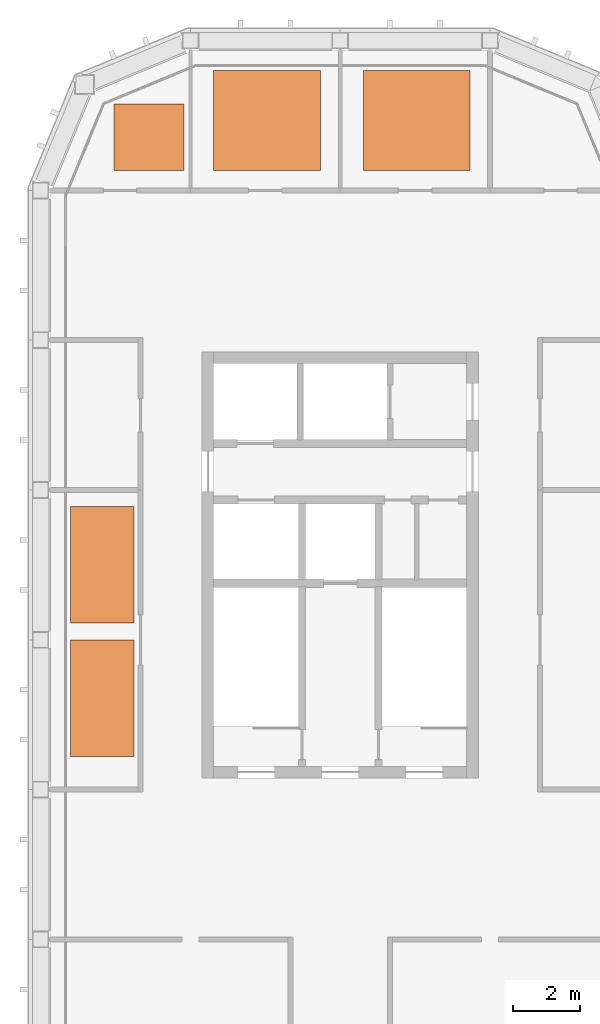
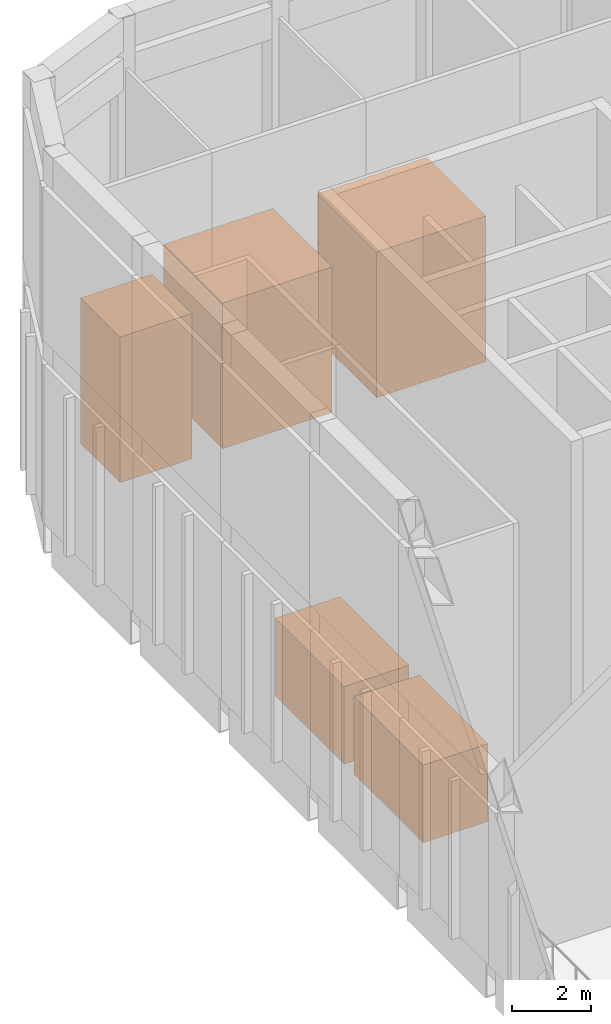
# One storey, part 7 of 7: 5 proxies.
"""IFC4 building model written with IfcOpenShell, lengths in metres."""

from ifc_helpers import new_model, si_unit, direction, frame, origin, origin_2d, place, context, subcontext, project, spatial, rectangle, extrude, material, type_object, element, save


model = new_model("IFC4")

# Units and contexts
model_context = context("Model", 3, precision=1e-05, world=origin(), true_north=direction((0.0, 1.0)))
body_context = subcontext(model_context, "Body", "Model", "MODEL_VIEW")
ifc_project = project(units=[si_unit("LENGTHUNIT", "METRE"), si_unit("AREAUNIT", "SQUARE_METRE"), si_unit("VOLUMEUNIT", "CUBIC_METRE"), si_unit("PLANEANGLEUNIT", "RADIAN"), si_unit("MASSUNIT", "GRAM", prefix="KILO")], contexts=[model_context])

# Site, building, storey
site_placement = place(None, origin())
site = spatial("IfcSite", under=ifc_project, at=site_placement, CompositionType="ELEMENT")
building_placement = place(site_placement, origin())
building = spatial("IfcBuilding", under=site, at=building_placement, Name="Girih Gate Residences", CompositionType="ELEMENT")
storey_placement = place(building_placement, frame((0.0, 0.0, 247.094970703125)))
storey = spatial("IfcBuildingStorey", under=building, at=storey_placement, Name="L67", CompositionType="ELEMENT", Elevation=247.094970703125)

# Proxies
ifc_material = material(Name="Painted steel plant casing", Category="steel")
building_element_proxy_type_1 = type_object("IfcBuildingElementProxyType", Name="Air handling unit 1900x3500x2400", PredefinedType="USERDEFINED", material=ifc_material)
for number, where, z_axis, x_axis, name in (
    (1, (1.85009765625, 29.75, 0.0), (0.0, 0.0, 1.0), (1.0, 0.0, 0.0), "Air handling unit AH4"),
    (2, (1.85009765625, 33.75, 0.0), (0.0, 0.0, 1.0), (1.0, 0.0, 0.0), "Air handling unit AH5"),
):
    element("IfcBuildingElementProxy", number, at=place(storey_placement, frame(where, z_axis=z_axis, x_axis=x_axis)), inside=storey, type_object=building_element_proxy_type_1, Name=name, ObjectType="AIR HANDLING UNIT", PredefinedType="USERDEFINED", context=body_context, shape_type="SweptSolid", body=[
        extrude(rectangle(XDim=1.89990234375, YDim=3.5, at=origin_2d()), origin(), (0.0, 0.0, 1.0), 2.39990234375),
    ])
building_element_proxy_type_2 = type_object("IfcBuildingElementProxyType", Name="Cooling tower 2100x2000x4500", PredefinedType="USERDEFINED", material=ifc_material)
proxy_placement = place(storey_placement, frame((3.25, 46.60009765625, 0.0), z_axis=(0.0, 0.0, 1.0), x_axis=(1.0, 0.0, 0.0)))
element("IfcBuildingElementProxy", 3, at=proxy_placement, inside=storey, type_object=building_element_proxy_type_2, Name="Cooling tower CT1", ObjectType="COOLING TOWER", PredefinedType="USERDEFINED", context=body_context, shape_type="SweptSolid", body=[
    extrude(rectangle(XDim=2.10009765625, YDim=2.0, at=origin_2d()), origin(), (0.0, 0.0, 1.0), 4.5),
])
building_element_proxy_type_3 = type_object("IfcBuildingElementProxyType", Name="Cooling tower 3200x3000x4500", PredefinedType="USERDEFINED", material=ifc_material)
for number, where, z_axis, x_axis, name in (
    (4, (6.800048828125, 47.10009765625, 0.0), (0.0, 0.0, 1.0), (1.0, 0.0, 0.0), "Cooling tower CT2"),
    (5, (11.300048828125, 47.10009765625, 0.0), (0.0, 0.0, 1.0), (1.0, 0.0, 0.0), "Cooling tower CT3"),
):
    element("IfcBuildingElementProxy", number, at=place(storey_placement, frame(where, z_axis=z_axis, x_axis=x_axis)), inside=storey, type_object=building_element_proxy_type_3, Name=name, ObjectType="COOLING TOWER", PredefinedType="USERDEFINED", context=body_context, shape_type="SweptSolid", body=[
        extrude(rectangle(XDim=3.199951171875, YDim=3.0, at=origin_2d()), origin(), (0.0, 0.0, 1.0), 4.5),
    ])

save(model, "model.ifc")
